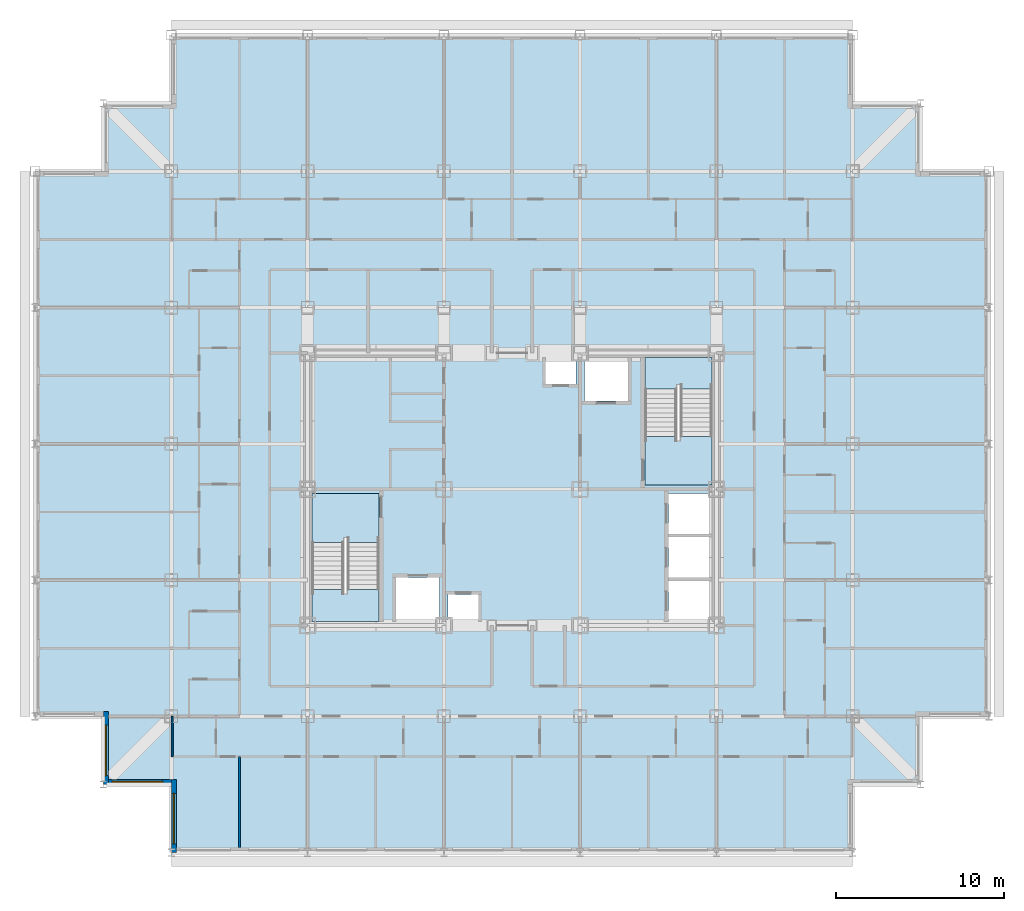
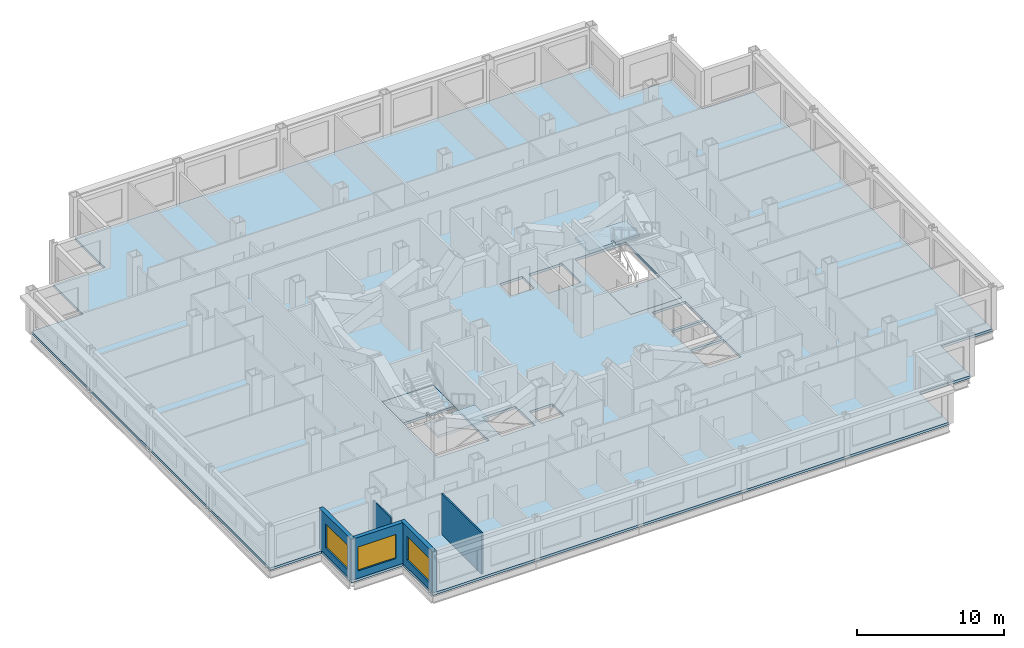
# One storey, part 3 of 12: 5 slabs, 5 walls, 3 windows, 3 openings, 2 elements without a shape of their own.
"""IFC4 building model written with IfcOpenShell, lengths in metres."""

from ifc_helpers import new_model, si_unit, direction, frame, frame_2d, origin, place, context, subcontext, project, spatial, polyline, rectangle, outline, extrude, material, layer, layer_set, type_object, element, fill, aggregate, save


model = new_model("IFC4")

# Units and contexts
model_context = context("Model", 3, precision=1e-05, world=origin(), true_north=direction((0.0, 1.0)))
body_context = subcontext(model_context, "Body", "Model", "MODEL_VIEW")
ifc_project = project(units=[si_unit("LENGTHUNIT", "METRE"), si_unit("AREAUNIT", "SQUARE_METRE"), si_unit("VOLUMEUNIT", "CUBIC_METRE"), si_unit("PLANEANGLEUNIT", "RADIAN"), si_unit("MASSUNIT", "GRAM", prefix="KILO")], contexts=[model_context])

# Site, building, storey
site_placement = place(None, origin())
site = spatial("IfcSite", under=ifc_project, at=site_placement, CompositionType="ELEMENT")
building_placement = place(site_placement, origin())
building = spatial("IfcBuilding", under=site, at=building_placement, Name="Kopane Lantern Tower", CompositionType="ELEMENT")
storey_placement = place(building_placement, frame((0.0, 0.0, 188.39990234375)))
storey = spatial("IfcBuildingStorey", under=building, at=storey_placement, Name="L48", CompositionType="ELEMENT", Elevation=188.39990234375)

# Slab
ifc_material_1 = material(Name="Concrete C40/50", Category="concrete")
ifc_layer_1 = layer(ifc_material_1, 0.2099609375)
ifc_layer_set_1 = layer_set([ifc_layer_1], Name="SLAB 210 COMPOSITE")
slab_type_1 = type_object("IfcSlabType", Name="SLAB 210 COMPOSITE", PredefinedType="FLOOR", material=ifc_layer_set_1)
slab_1_placement = place(storey_placement, frame((0.0, 0.0, -0.2099609375)))
element("IfcSlab", 1, at=slab_1_placement, inside=storey, type_object=slab_type_1, Name="Floor slab L48", PredefinedType="FLOOR", context=body_context, shape_type="SweptSolid", body=[
    extrude(outline(polyline([(8.10009765625, 10.800048828125), (48.60009765625, 10.800048828125), (48.60009765625, 14.85009765625), (52.64990234375, 14.85009765625), (52.64990234375, 18.89990234375), (56.699951171875, 18.89990234375), (56.699951171875, 51.300048828125), (52.64990234375, 51.300048828125), (52.64990234375, 55.35009765625), (48.60009765625, 55.35009765625), (48.60009765625, 59.39990234375), (8.10009765625, 59.39990234375), (8.10009765625, 55.35009765625), (4.050048828125, 55.35009765625), (4.050048828125, 51.300048828125), (0.0, 51.300048828125), (0.0, 18.89990234375), (4.050048828125, 18.89990234375), (4.050048828125, 14.85009765625), (8.10009765625, 14.85009765625), (8.10009765625, 10.800048828125)]), holes=[polyline([(16.449951171875, 24.550048828125), (20.449951171875, 24.550048828125), (20.449951171875, 32.14990234375), (16.449951171875, 32.14990234375), (16.449951171875, 24.550048828125)]), polyline([(36.25, 32.64990234375), (40.25, 32.64990234375), (40.25, 40.25), (36.25, 40.25), (36.25, 32.64990234375)]), polyline([(37.64990234375, 24.550048828125), (40.25, 24.550048828125), (40.25, 26.949951171875), (37.64990234375, 26.949951171875), (37.64990234375, 24.550048828125)]), polyline([(37.64990234375, 27.14990234375), (40.25, 27.14990234375), (40.25, 29.550048828125), (37.64990234375, 29.550048828125), (37.64990234375, 27.14990234375)]), polyline([(37.64990234375, 29.75), (40.25, 29.75), (40.25, 32.14990234375), (37.64990234375, 32.14990234375), (37.64990234375, 29.75)]), polyline([(21.449951171875, 24.550048828125), (24.050048828125, 24.550048828125), (24.050048828125, 27.14990234375), (21.449951171875, 27.14990234375), (21.449951171875, 24.550048828125)]), polyline([(32.64990234375, 37.64990234375), (35.25, 37.64990234375), (35.25, 40.25), (32.64990234375, 40.25), (32.64990234375, 37.64990234375)]), polyline([(24.550048828125, 24.550048828125), (26.35009765625, 24.550048828125), (26.35009765625, 26.14990234375), (24.550048828125, 26.14990234375), (24.550048828125, 24.550048828125)]), polyline([(30.35009765625, 38.64990234375), (32.14990234375, 38.64990234375), (32.14990234375, 40.25), (30.35009765625, 40.25), (30.35009765625, 38.64990234375)])]), origin(), (0.0, 0.0, 1.0), 0.2099609375),
])

# Stair, slabs
ifc_material_2 = material(Name="Steel S355JR", Category="steel")
stair_type = type_object("IfcStairType", Name="EXIT STAIR 1900 HALF TURN", PredefinedType="HALF_TURN_STAIR", material=ifc_material_2)
stair_1_placement = place(storey_placement, origin())
stair_1 = element("IfcStair", 2, at=stair_1_placement, inside=storey, type_object=stair_type, Name="Exit stair ST1 L48", PredefinedType="HALF_TURN_STAIR")
ifc_material_3 = material(Name="Concrete C40/50", Category="concrete")
ifc_layer_2 = layer(ifc_material_3, 0.199951171875)
ifc_layer_set_2 = layer_set([ifc_layer_2], Name="STAIR LANDING 200")
slab_type_2 = type_object("IfcSlabType", Name="STAIR LANDING 200", PredefinedType="LANDING", material=ifc_layer_set_2)
slab_2_placement = place(storey_placement, frame((0.0, 0.0, -0.199951171875)))
slab_2 = element("IfcSlab", 3, at=slab_2_placement, type_object=slab_type_2, Name="ST1 landing 1", PredefinedType="LANDING", context=body_context, shape_type="SweptSolid", body=[
    extrude(outline(polyline([(18.35009765625, 29.530029296875), (18.550048828125, 29.530029296875), (18.550048828125, 29.25), (20.449951171875, 29.25), (20.449951171875, 32.14990234375), (16.449951171875, 32.14990234375), (16.449951171875, 29.25), (18.35009765625, 29.25), (18.35009765625, 29.530029296875)])), origin(), (0.0, 0.0, 1.0), 0.199951171875),
])
slab_3_placement = place(storey_placement, frame((0.0, 0.0, 1.60009765625)))
slab_3 = element("IfcSlab", 4, at=slab_3_placement, type_object=slab_type_2, Name="ST1 landing 2", PredefinedType="LANDING", context=body_context, shape_type="SweptSolid", body=[
    extrude(outline(polyline([(20.449951171875, 26.449951171875), (18.550048828125, 26.449951171875), (18.550048828125, 26.169921875), (18.35009765625, 26.169921875), (18.35009765625, 26.449951171875), (16.449951171875, 26.449951171875), (16.449951171875, 24.550048828125), (20.449951171875, 24.550048828125), (20.449951171875, 26.449951171875)])), origin(), (0.0, 0.0, 1.0), 0.199951171875),
])
aggregate(stair_1, [slab_2, slab_3])

stair_2_placement = place(storey_placement, origin())
stair_2 = element("IfcStair", 5, at=stair_2_placement, inside=storey, type_object=stair_type, Name="Exit stair ST2 L48", PredefinedType="HALF_TURN_STAIR")
slab_4_placement = place(storey_placement, frame((0.0, 0.0, -0.199951171875)))
slab_4 = element("IfcSlab", 6, at=slab_4_placement, type_object=slab_type_2, Name="ST2 landing 1", PredefinedType="LANDING", context=body_context, shape_type="SweptSolid", body=[
    extrude(outline(polyline([(40.25, 35.550048828125), (38.35009765625, 35.550048828125), (38.35009765625, 35.27001953125), (38.14990234375, 35.27001953125), (38.14990234375, 35.550048828125), (36.25, 35.550048828125), (36.25, 32.64990234375), (40.25, 32.64990234375), (40.25, 35.550048828125)])), origin(), (0.0, 0.0, 1.0), 0.199951171875),
])
slab_5_placement = place(storey_placement, frame((0.0, 0.0, 1.60009765625)))
slab_5 = element("IfcSlab", 7, at=slab_5_placement, type_object=slab_type_2, Name="ST2 landing 2", PredefinedType="LANDING", context=body_context, shape_type="SweptSolid", body=[
    extrude(outline(polyline([(38.14990234375, 38.6298828125), (38.35009765625, 38.6298828125), (38.35009765625, 38.35009765625), (40.25, 38.35009765625), (40.25, 40.25), (36.25, 40.25), (36.25, 38.35009765625), (38.14990234375, 38.35009765625), (38.14990234375, 38.6298828125)])), origin(), (0.0, 0.0, 1.0), 0.199951171875),
])
aggregate(stair_2, [slab_4, slab_5])

# Walls
ifc_material_4 = material(Name="Gypsum board on steel studs", Category="steel")
ifc_layer_3 = layer(ifc_material_4, 0.1201171875)
ifc_layer_set_3 = layer_set([ifc_layer_3], Name="APARTMENT INTERNAL WALL 120")
wall_type_1 = type_object("IfcWallType", Name="APARTMENT INTERNAL WALL 120", PredefinedType="PARTITIONING", material=ifc_layer_set_3)
wall_1_placement = place(storey_placement, frame((12.14990234375, 16.5, 0.0), z_axis=(0.0, 0.0, 1.0), x_axis=(0.0, -1.0, 0.0)))
element("IfcWall", 8, at=wall_1_placement, inside=storey, type_object=wall_type_1, Name="Apartment Internal Wall 120 L48", PredefinedType="PARTITIONING", context=body_context, shape_type="SweptSolid", body=[
    extrude(rectangle(XDim=5.39990234375, YDim=0.1201171875, at=frame_2d((2.699951171875, 0.0))), origin(), (0.0, 0.0, 1.0), 3.39013671875),
])
ifc_material_5 = material(Name="Moisture-resistant board on steel studs", Category="steel")
ifc_layer_4 = layer(ifc_material_5, 0.10009765625)
ifc_layer_set_4 = layer_set([ifc_layer_4], Name="BATHROOM WALL 100")
wall_type_2 = type_object("IfcWallType", Name="BATHROOM WALL 100", PredefinedType="PARTITIONING", material=ifc_layer_set_4)
wall_2_placement = place(storey_placement, frame((8.14990234375, 18.89990234375, 0.0), z_axis=(0.0, 0.0, 1.0), x_axis=(0.0, -1.0, 0.0)))
element("IfcWall", 9, at=wall_2_placement, inside=storey, type_object=wall_type_2, Name="Bathroom Wall 100 L48", PredefinedType="PARTITIONING", context=body_context, shape_type="SweptSolid", body=[
    extrude(rectangle(XDim=2.39990234375, YDim=0.10009765625, at=frame_2d((1.199951171875, 0.0))), origin(), (0.0, 0.0, 1.0), 2.77783203125),
])

# Wall, opening, window
ifc_material_6 = material(Name="Terracotta rainscreen on light steel framing", Category="masonry")
ifc_layer_5 = layer(ifc_material_6, 0.300048828125)
ifc_layer_set_5 = layer_set([ifc_layer_5], Name="EXTERNAL WALL EW1 300 TERRACOTTA")
wall_type_3 = type_object("IfcWallType", Name="EXTERNAL WALL EW1 300 TERRACOTTA", PredefinedType="SOLIDWALL", material=ifc_layer_set_5)
wall_3_placement = place(storey_placement, frame((4.199951171875, 19.199951171875, 0.0), z_axis=(0.0, 0.0, 1.0), x_axis=(0.0, -1.0, 0.0)))
wall_3 = element("IfcWall", 10, at=wall_3_placement, inside=storey, type_object=wall_type_3, Name="External wall W L48", PredefinedType="SOLIDWALL", context=body_context, shape_type="SweptSolid", body=[
    extrude(rectangle(XDim=4.349853515625, YDim=0.300048828125, at=frame_2d((2.1748046875, 0.0))), origin(), (0.0, 0.0, 1.0), 3.39013671875),
])
opening_1_placement = place(wall_3_placement, frame((0.824951171875, 0.0, 0.60009765625)))
opening_1 = element("IfcOpeningElement", 11, at=opening_1_placement, cuts=wall_3, Name="Opening WR300200", PredefinedType="OPENING", context=body_context, shape_type="SweptSolid", body=[
    extrude(rectangle(XDim=3.0, YDim=2.0, at=frame_2d((1.5, 1.0))), frame((0.0, 0.159912109375, 0.0), z_axis=(0.0, -1.0, 0.0), x_axis=(1.0, 0.0, 0.0)), (0.0, 0.0, 1.0), 0.320068359375),
])
ifc_material_7 = material(Name="Aluminium and clear glass", Category="aluminium")
window_type = type_object("IfcWindowType", Name="RIBBON WINDOW WR300200 3000x2000", PartitioningType="SINGLE_PANEL", PredefinedType="WINDOW", material=ifc_material_7)
window_1_placement = place(opening_1_placement, origin())
window_1 = element("IfcWindow", 12, at=window_1_placement, inside=storey, type_object=window_type, Name="Window W L48", OverallHeight=2.0, OverallWidth=3.0, PartitioningType="SINGLE_PANEL", PredefinedType="WINDOW", context=body_context, shape_type="SweptSolid", body=[
    extrude(rectangle(XDim=3.0, YDim=2.0, at=frame_2d((1.5, 1.0))), frame((0.0, 0.030029296875, 0.0), z_axis=(0.0, -1.0, 0.0), x_axis=(1.0, 0.0, 0.0)), (0.0, 0.0, 1.0), 0.06005859375),
])
fill(opening_1, window_1)

wall_4_placement = place(storey_placement, frame((4.35009765625, 15.0, 0.0), z_axis=(0.0, 0.0, 1.0), x_axis=(1.0, 0.0, 0.0)))
wall_4 = element("IfcWall", 13, at=wall_4_placement, inside=storey, type_object=wall_type_3, Name="External wall S L48", PredefinedType="SOLIDWALL", context=body_context, shape_type="SweptSolid", body=[
    extrude(rectangle(XDim=3.75, YDim=0.300048828125, at=frame_2d((1.875, 0.0))), origin(), (0.0, 0.0, 1.0), 3.39013671875),
])
opening_2_placement = place(wall_4_placement, frame((0.22509765625, 0.0, 0.60009765625)))
opening_2 = element("IfcOpeningElement", 14, at=opening_2_placement, cuts=wall_4, Name="Opening WR300200", PredefinedType="OPENING", context=body_context, shape_type="SweptSolid", body=[
    extrude(rectangle(XDim=3.0, YDim=2.0, at=frame_2d((1.5, 1.0))), frame((0.0, 0.159912109375, 0.0), z_axis=(0.0, -1.0, 0.0), x_axis=(1.0, 0.0, 0.0)), (0.0, 0.0, 1.0), 0.320068359375),
])
window_2_placement = place(opening_2_placement, origin())
window_2 = element("IfcWindow", 15, at=window_2_placement, inside=storey, type_object=window_type, Name="Window S L48", OverallHeight=2.0, OverallWidth=3.0, PartitioningType="SINGLE_PANEL", PredefinedType="WINDOW", context=body_context, shape_type="SweptSolid", body=[
    extrude(rectangle(XDim=3.0, YDim=2.0, at=frame_2d((1.5, 1.0))), frame((0.0, 0.030029296875, 0.0), z_axis=(0.0, -1.0, 0.0), x_axis=(1.0, 0.0, 0.0)), (0.0, 0.0, 1.0), 0.06005859375),
])
fill(opening_2, window_2)

wall_5_placement = place(storey_placement, frame((8.25, 15.14990234375, 0.0), z_axis=(0.0, 0.0, 1.0), x_axis=(0.0, -1.0, 0.0)))
wall_5 = element("IfcWall", 16, at=wall_5_placement, inside=storey, type_object=wall_type_3, Name="External wall W L48", PredefinedType="SOLIDWALL", context=body_context, shape_type="SweptSolid", body=[
    extrude(rectangle(XDim=4.349853515625, YDim=0.300048828125, at=frame_2d((2.1748046875, 0.0))), origin(), (0.0, 0.0, 1.0), 3.39013671875),
])
opening_3_placement = place(wall_5_placement, frame((0.824951171875, 0.0, 0.60009765625)))
opening_3 = element("IfcOpeningElement", 17, at=opening_3_placement, cuts=wall_5, Name="Opening WR300200", PredefinedType="OPENING", context=body_context, shape_type="SweptSolid", body=[
    extrude(rectangle(XDim=3.0, YDim=2.0, at=frame_2d((1.5, 1.0))), frame((0.0, 0.159912109375, 0.0), z_axis=(0.0, -1.0, 0.0), x_axis=(1.0, 0.0, 0.0)), (0.0, 0.0, 1.0), 0.320068359375),
])
window_3_placement = place(opening_3_placement, origin())
window_3 = element("IfcWindow", 18, at=window_3_placement, inside=storey, type_object=window_type, Name="Window W L48", OverallHeight=2.0, OverallWidth=3.0, PartitioningType="SINGLE_PANEL", PredefinedType="WINDOW", context=body_context, shape_type="SweptSolid", body=[
    extrude(rectangle(XDim=3.0, YDim=2.0, at=frame_2d((1.5, 1.0))), frame((0.0, 0.030029296875, 0.0), z_axis=(0.0, -1.0, 0.0), x_axis=(1.0, 0.0, 0.0)), (0.0, 0.0, 1.0), 0.06005859375),
])
fill(opening_3, window_3)

save(model, "model.ifc")
